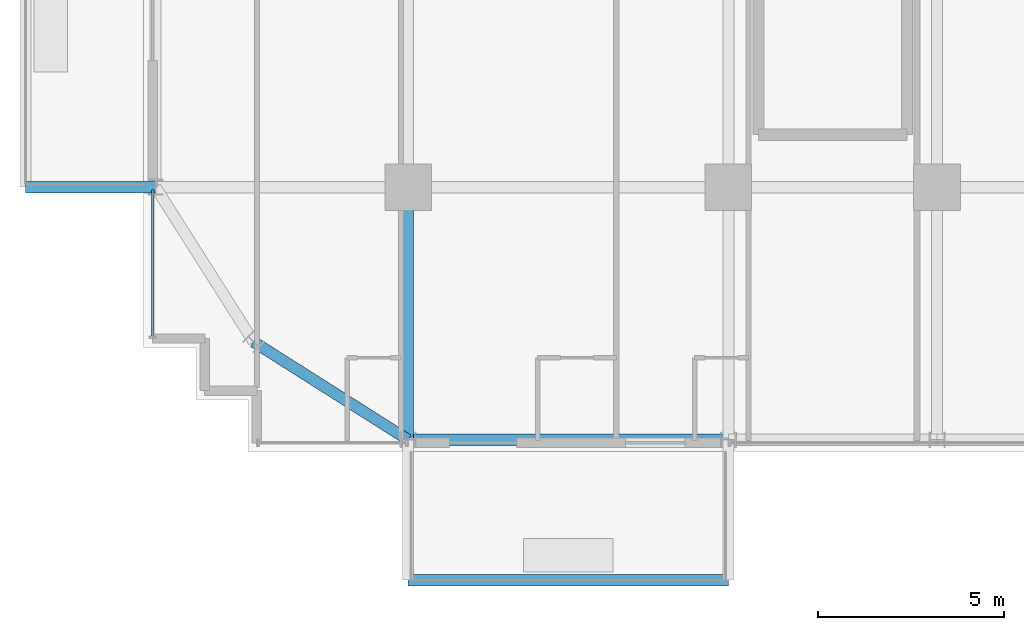
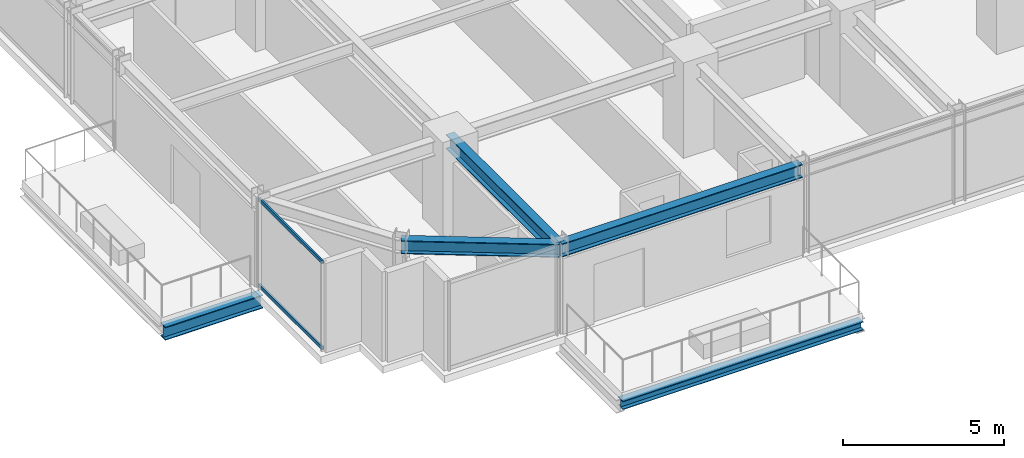
# One storey, part 3 of 32: 5 beams, 2 members, 1 element without a shape of its own.
"""IFC4 building model written with IfcOpenShell, lengths in metres."""

from ifc_helpers import new_model, si_unit, direction, frame, origin, origin_2d, place, context, subcontext, project, spatial, hollow_rectangle, i_section, extrude, source, transform, mapped, material, material_profile, profile_set, type_object, element, aggregate, save


model = new_model("IFC4")

# Units and contexts
model_context = context("Model", 3, precision=1e-05, world=origin(), true_north=direction((0.0, 1.0)))
body_context = subcontext(model_context, "Body", "Model", "MODEL_VIEW")
ifc_project = project(units=[si_unit("LENGTHUNIT", "METRE"), si_unit("AREAUNIT", "SQUARE_METRE"), si_unit("VOLUMEUNIT", "CUBIC_METRE"), si_unit("PLANEANGLEUNIT", "RADIAN"), si_unit("MASSUNIT", "GRAM", prefix="KILO")], contexts=[model_context])

# Site, building, storey
site_placement = place(None, origin())
site = spatial("IfcSite", under=ifc_project, at=site_placement, CompositionType="ELEMENT")
building_placement = place(site_placement, origin())
building = spatial("IfcBuilding", under=site, at=building_placement, Name="Nahalor Promenade Grand Hotel", CompositionType="ELEMENT")
storey_placement = place(building_placement, frame((0.0, 0.0, 124.800048828125)))
storey = spatial("IfcBuildingStorey", under=building, at=storey_placement, Name="L31", CompositionType="ELEMENT", Elevation=124.800048828125)

# Beams
ifc_material_1 = material(Name="Steel S355JR", Category="steel")
ifc_material_profile_1 = material_profile(ifc_material_1, i_section(OverallWidth=0.3, OverallDepth=0.32, WebThickness=0.0115, FlangeThickness=0.0205, at=origin_2d()), Name="HEB 320")
ifc_profile_set_1 = profile_set([ifc_material_profile_1], Name="Steel S355JR")
beam_type_1 = type_object("IfcBeamType", Name="Beam-BalcEdge-HEB320", PredefinedType="SPANDREL", material=ifc_profile_set_1)
shared_shape_1 = source(origin(), body_context, "Body", "SweptSolid", [
    extrude(i_section(OverallWidth=0.3, OverallDepth=0.32, WebThickness=0.0115, FlangeThickness=0.0205, at=origin_2d()), origin(), (0.0, 0.0, 1.0), 8.60009765625),
])
beam_1_placement = place(storey_placement, frame((-17.0, -27.550048828125, -0.43994140625), z_axis=(1.0, 0.0, 0.0), x_axis=(0.0, 1.0, 0.0)))
element("IfcBeam", 1, at=beam_1_placement, inside=storey, type_object=beam_type_1, Name="BM-L31-BC-01-F", PredefinedType="SPANDREL", context=body_context, shape_type="MappedRepresentation", body=[
    mapped(shared_shape_1, transform((0.0, 0.0, 0.0), scale=1.0)),
])
ifc_material_profile_2 = material_profile(ifc_material_1, i_section(OverallWidth=0.3, OverallDepth=0.5, WebThickness=0.0145, FlangeThickness=0.028, at=origin_2d()), Name="HEB 500")
ifc_profile_set_2 = profile_set([ifc_material_profile_2], Name="Steel S355JR")
beam_type_2 = type_object("IfcBeamType", Name="Beam-Outrigger-HEB500", PredefinedType="BEAM", material=ifc_profile_set_2)
shared_shape_2 = source(origin(), body_context, "Body", "SweptSolid", [
    extrude(i_section(OverallWidth=0.3, OverallDepth=0.5, WebThickness=0.0145, FlangeThickness=0.028, at=origin_2d()), origin(), (0.0, 0.0, 1.0), 3.489990234375),
])
beam_2_placement = place(storey_placement, frame((-27.27001953125, -17.0, -0.530029296875), z_axis=(1.0, 0.0, 0.0), x_axis=(0.0, 1.0, 0.0)))
element("IfcBeam", 2, at=beam_2_placement, inside=storey, type_object=beam_type_2, Name="BM-L31-BC-02-1", PredefinedType="BEAM", context=body_context, shape_type="MappedRepresentation", body=[
    mapped(shared_shape_2, transform((0.0, 0.0, 0.0), scale=1.0)),
])
ifc_material_profile_3 = material_profile(ifc_material_1, i_section(OverallWidth=0.3, OverallDepth=0.5, WebThickness=0.0145, FlangeThickness=0.028, at=origin_2d()), Name="HEB 500")
ifc_profile_set_3 = profile_set([ifc_material_profile_3], Name="Steel S355JR")
beam_type_3 = type_object("IfcBeamType", Name="Beam-Spandrel-HEB500", PredefinedType="SPANDREL", material=ifc_profile_set_3)
shared_shape_3 = source(origin(), body_context, "Body", "SweptSolid", [
    extrude(i_section(OverallWidth=0.3, OverallDepth=0.5, WebThickness=0.0145, FlangeThickness=0.028, at=origin_2d()), origin(), (0.0, 0.0, 1.0), 8.60009765625),
])
beam_3_placement = place(storey_placement, frame((-17.0, -23.780029296875, 3.1298828125), z_axis=(1.0, 0.0, 0.0), x_axis=(0.0, 1.0, 0.0)))
element("IfcBeam", 3, at=beam_3_placement, inside=storey, type_object=beam_type_3, Name="BM-L31-SP-S-0", PredefinedType="SPANDREL", context=body_context, shape_type="MappedRepresentation", body=[
    mapped(shared_shape_3, transform((0.0, 0.0, 0.0), scale=1.0)),
])
shared_shape_4 = source(origin(), body_context, "Body", "SweptSolid", [
    extrude(i_section(OverallWidth=0.3, OverallDepth=0.5, WebThickness=0.0145, FlangeThickness=0.028, at=origin_2d()), origin(), (0.0, 0.0, 1.0), 4.9130859375),
])
beam_4_placement = place(storey_placement, frame((-17.0, -23.780029296875, 3.1298828125), z_axis=(-0.844648325505, 0.535321591403, 0.0), x_axis=(-0.535321591403, -0.844648325505, 0.0)))
element("IfcBeam", 4, at=beam_4_placement, inside=storey, type_object=beam_type_3, Name="BM-L31-SPC-SW-1", PredefinedType="SPANDREL", context=body_context, shape_type="MappedRepresentation", body=[
    mapped(shared_shape_4, transform((0.0, 0.0, 0.0), scale=1.0)),
])
ifc_material_profile_4 = material_profile(ifc_material_1, i_section(OverallWidth=0.3, OverallDepth=0.55, WebThickness=0.015, FlangeThickness=0.029, at=origin_2d()), Name="HEB 550")
ifc_profile_set_4 = profile_set([ifc_material_profile_4], Name="Steel S355JR")
beam_type_4 = type_object("IfcBeamType", Name="Beam-Girder-HEB550", PredefinedType="BEAM", material=ifc_profile_set_4)
shared_shape_5 = source(origin(), body_context, "Body", "SweptSolid", [
    extrude(i_section(OverallWidth=0.3, OverallDepth=0.55, WebThickness=0.015, FlangeThickness=0.029, at=origin_2d()), origin(), (0.0, 0.0, 1.0), 6.780029296875),
])
beam_5_placement = place(storey_placement, frame((-17.0, -23.780029296875, 3.10498046875), z_axis=(0.0, 1.0, 0.0), x_axis=(-1.0, 0.0, 0.0)))
element("IfcBeam", 5, at=beam_5_placement, inside=storey, type_object=beam_type_4, Name="BM-L31-GY-0-0", PredefinedType="BEAM", context=body_context, shape_type="MappedRepresentation", body=[
    mapped(shared_shape_5, transform((0.0, 0.0, 0.0), scale=1.0)),
])

# Curtain wall, members
ifc_material_2 = material(Name="Anodised Bronze Aluminium EN AW-6063 T6", Category="aluminium")
curtain_wall_type = type_object("IfcCurtainWallType", Name="CW2 Typical Hotel Flush Bronze Unitised Curtain Wall", PredefinedType="USERDEFINED", material=ifc_material_2)
curtain_wall_placement = place(storey_placement, origin())
curtain_wall = element("IfcCurtainWall", 6, at=curtain_wall_placement, inside=storey, type_object=curtain_wall_type, Name="L31 Curtain Wall CW-L31-W-1", ObjectType="UNITISED_CURTAIN_WALL", PredefinedType="USERDEFINED")
ifc_material_profile_5 = material_profile(ifc_material_2, hollow_rectangle(XDim=0.065, YDim=0.13, WallThickness=0.004, at=origin_2d()), Name="CWT 65x130x4")
ifc_profile_set_5 = profile_set([ifc_material_profile_5], Name="Anodised Bronze Aluminium EN AW-6063 T6")
member_type = type_object("IfcMemberType", Name="CWT2 Typical Bronze Transom 65x130", PredefinedType="USERDEFINED", material=ifc_profile_set_5)
shared_shape_6 = source(origin(), body_context, "Body", "SweptSolid", [
    extrude(hollow_rectangle(XDim=0.065, YDim=0.13, WallThickness=0.004, at=origin_2d()), origin(), (0.0, 0.0, 1.0), 3.93017578125),
])
member_1_placement = place(storey_placement, frame((-23.860107421875, -20.9951171875, 0.06494140625), z_axis=(0.0, 1.0, 0.0), x_axis=(-1.0, 0.0, 0.0)))
member_1 = element("IfcMember", 7, at=member_1_placement, type_object=member_type, Name="CW-L31-W-1 Transom 0-0", ObjectType="TRANSOM", PredefinedType="USERDEFINED", context=body_context, shape_type="MappedRepresentation", body=[
    mapped(shared_shape_6, transform((0.0, 0.0, 0.0), scale=1.0)),
])
member_2_placement = place(storey_placement, frame((-23.860107421875, -20.9951171875, 3.31494140625), z_axis=(0.0, 1.0, 0.0), x_axis=(-1.0, 0.0, 0.0)))
member_2 = element("IfcMember", 8, at=member_2_placement, type_object=member_type, Name="CW-L31-W-1 Transom 0-1", ObjectType="TRANSOM", PredefinedType="USERDEFINED", context=body_context, shape_type="MappedRepresentation", body=[
    mapped(shared_shape_6, transform((0.0, 0.0, 0.0), scale=1.0)),
])
aggregate(curtain_wall, [member_1, member_2])

save(model, "model.ifc")
